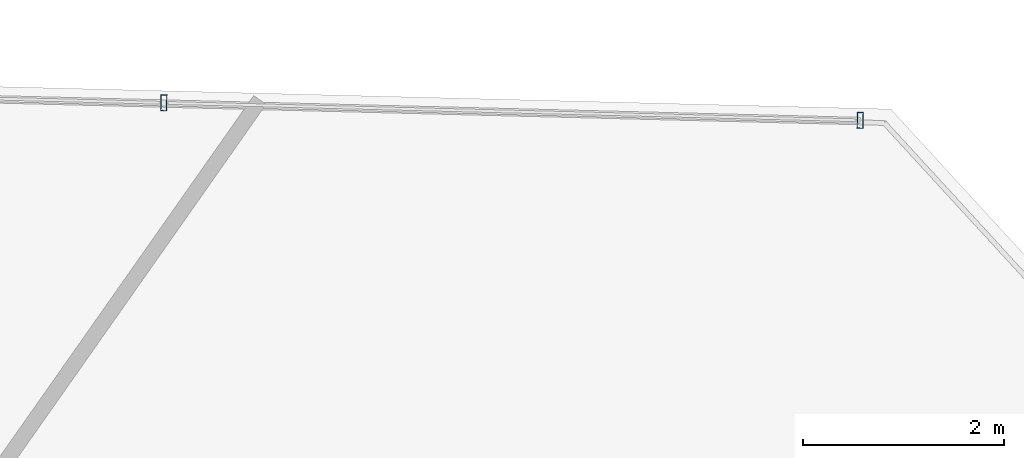
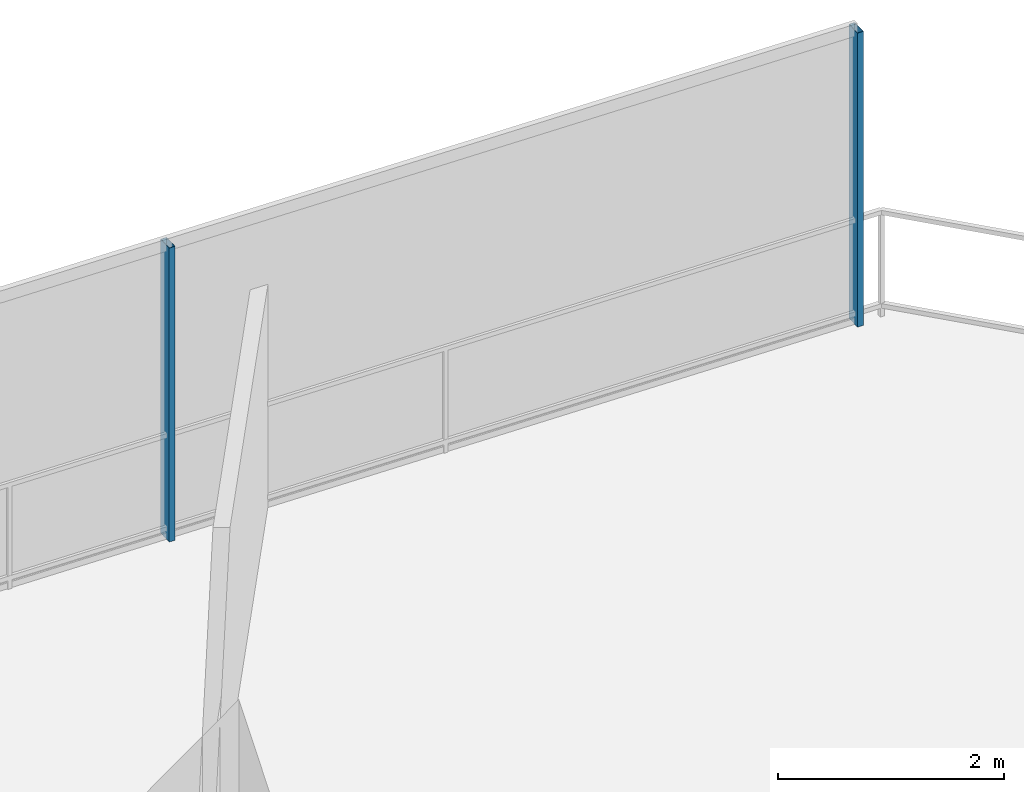
# One storey, part 22 of 30: 2 members, 1 element without a shape of its own.
"""IFC4 building model written with IfcOpenShell, lengths in metres."""

from ifc_helpers import new_model, si_unit, direction, frame, origin, origin_2d, place, context, subcontext, project, spatial, hollow_rectangle, extrude, material, layer, layer_set, material_profile, profile_set, type_object, element, aggregate, save


model = new_model("IFC4")

# Units and contexts
model_context = context("Model", 3, precision=1e-05, world=origin(), true_north=direction((0.0, 1.0)))
body_context = subcontext(model_context, "Body", "Model", "MODEL_VIEW")
ifc_project = project(units=[si_unit("LENGTHUNIT", "METRE"), si_unit("AREAUNIT", "SQUARE_METRE"), si_unit("VOLUMEUNIT", "CUBIC_METRE"), si_unit("PLANEANGLEUNIT", "RADIAN"), si_unit("MASSUNIT", "GRAM", prefix="KILO")], contexts=[model_context])

# Site, building, storey
site_placement = place(None, origin())
site = spatial("IfcSite", under=ifc_project, at=site_placement, CompositionType="ELEMENT")
building_placement = place(site_placement, origin())
building = spatial("IfcBuilding", under=site, at=building_placement, Name="Qarnah Convention Tower", CompositionType="ELEMENT")
storey_placement = place(building_placement, frame((0.0, 0.0, 61.5)))
storey = spatial("IfcBuildingStorey", under=building, at=storey_placement, Name="L15", CompositionType="ELEMENT", Elevation=61.5)

# Curtain wall, members
ifc_material_1 = material(Name="Tempered Low-E dark glass", Category="glass")
ifc_layer = layer(ifc_material_1, 0.16796875)
ifc_layer_set = layer_set([ifc_layer], Name="Tempered Low-E dark glass")
curtain_wall_type = type_object("IfcCurtainWallType", Name="CWS-01", PredefinedType="NOTDEFINED", material=ifc_layer_set)
curtain_wall_placement = place(storey_placement, origin())
curtain_wall = element("IfcCurtainWall", 1, at=curtain_wall_placement, inside=storey, type_object=curtain_wall_type, Name="L15 unitised curtain wall CW-L15-F1", PredefinedType="NOTDEFINED")
ifc_material_2 = material(Name="Black anodised aluminium", Category="aluminium")
ifc_material_profile = material_profile(ifc_material_2, hollow_rectangle(XDim=0.06005859375, YDim=0.159912109375, WallThickness=0.00390625, at=origin_2d()), Name="MUL-60X160")
ifc_profile_set = profile_set([ifc_material_profile], Name="Black anodised aluminium")
member_type = type_object("IfcMemberType", Name="MUL-T1", PredefinedType="MULLION", material=ifc_profile_set)
member_1_placement = place(storey_placement, frame((49.112060546875, 44.349853515625, 0.0), z_axis=(0.0, 0.0, 1.0), x_axis=(0.999684752198, -0.025107692487, 0.0)))
member_1 = element("IfcMember", 2, at=member_1_placement, type_object=member_type, Name="CW-L15-F1 mullion 5", PredefinedType="MULLION", context=body_context, shape_type="SweptSolid", body=[
    extrude(hollow_rectangle(XDim=0.06005859375, YDim=0.159912109375, WallThickness=0.00390625, at=origin_2d()), origin(), (0.0, 0.0, 1.0), 3.169921875),
])
member_2_placement = place(storey_placement, frame((56.031982421875, 44.176025390625, 0.0), z_axis=(0.0, 0.0, 1.0), x_axis=(0.999684752198, -0.025107692487, 0.0)))
member_2 = element("IfcMember", 3, at=member_2_placement, type_object=member_type, Name="CW-L15-F1 mullion 6", PredefinedType="MULLION", context=body_context, shape_type="SweptSolid", body=[
    extrude(hollow_rectangle(XDim=0.06005859375, YDim=0.159912109375, WallThickness=0.00390625, at=origin_2d()), origin(), (0.0, 0.0, 1.0), 3.169921875),
])
aggregate(curtain_wall, [member_1, member_2])

save(model, "model.ifc")
